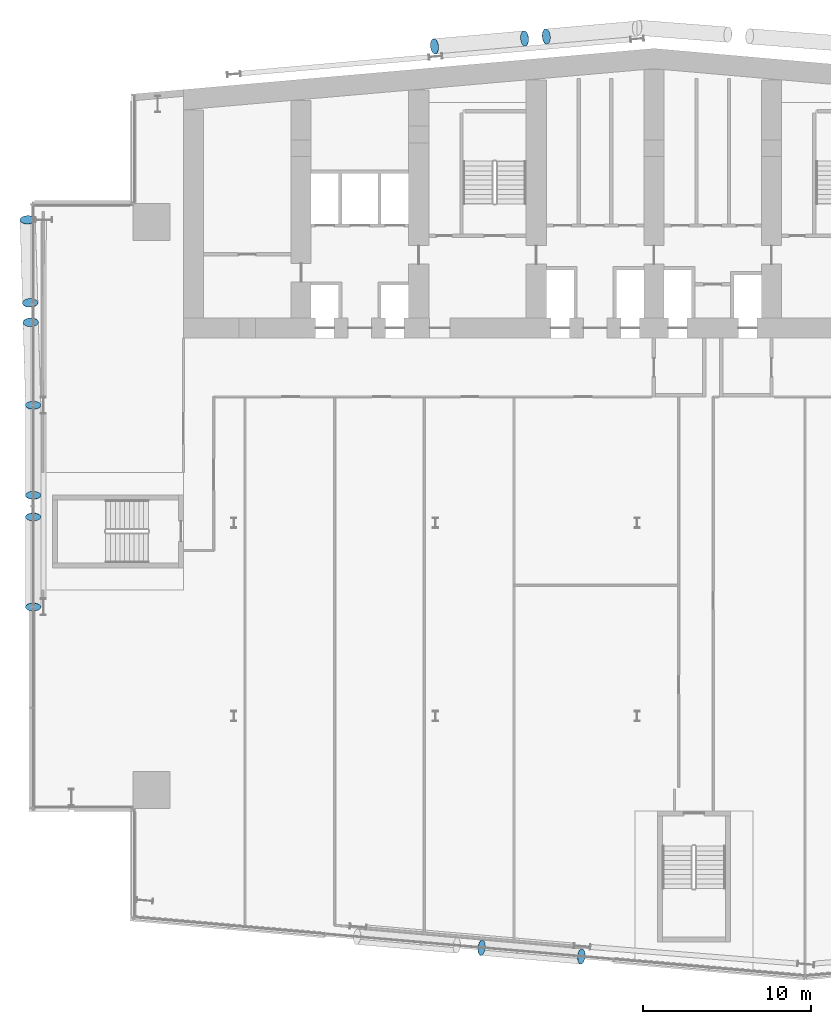
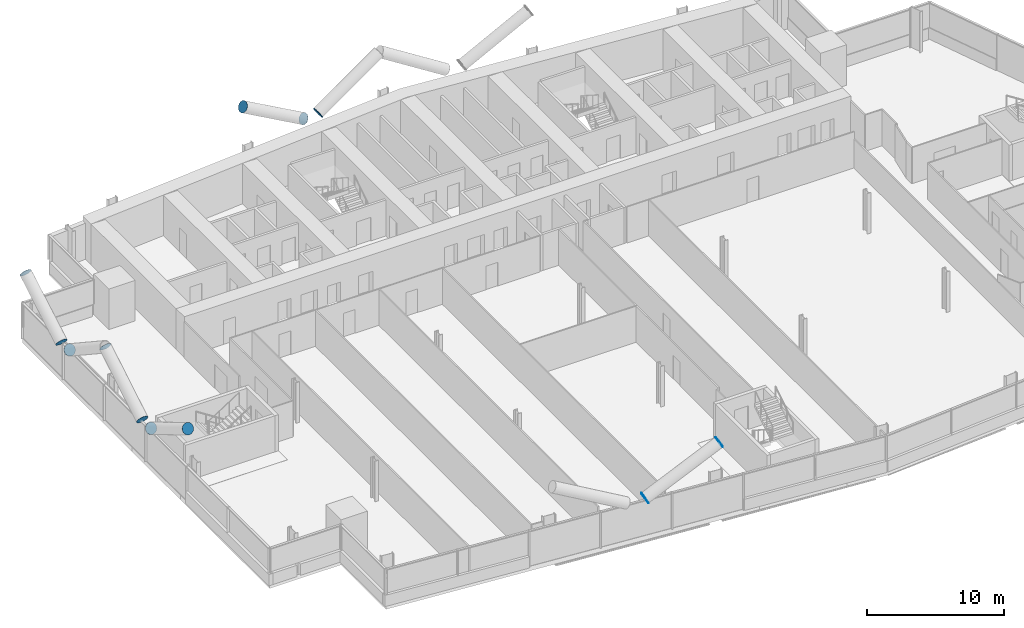
# One storey, part 19 of 25: 12 discrete accessories.
"""IFC4 building model written with IfcOpenShell, lengths in metres."""

from ifc_helpers import new_model, si_unit, direction, frame, origin, origin_2d, place, context, subcontext, project, spatial, circle, extrude, material, material_profile, profile_set, type_object, element, save


model = new_model("IFC4")

# Units and contexts
model_context = context("Model", 3, precision=1e-05, world=origin(), true_north=direction((0.0, 1.0)))
body_context = subcontext(model_context, "Body", "Model", "MODEL_VIEW")
ifc_project = project(units=[si_unit("LENGTHUNIT", "METRE"), si_unit("AREAUNIT", "SQUARE_METRE"), si_unit("VOLUMEUNIT", "CUBIC_METRE"), si_unit("PLANEANGLEUNIT", "RADIAN"), si_unit("MASSUNIT", "GRAM", prefix="KILO")], contexts=[model_context])

# Site, building, storey
site_placement = place(None, origin())
site = spatial("IfcSite", under=ifc_project, at=site_placement, CompositionType="ELEMENT")
building_placement = place(site_placement, origin())
building = spatial("IfcBuilding", under=site, at=building_placement, Name="Wharfspan Tower", CompositionType="ELEMENT")
storey_placement = place(building_placement, frame((0.0, 0.0, 63.100098)))
storey = spatial("IfcBuildingStorey", under=building, at=storey_placement, Name="L12", CompositionType="ELEMENT", Elevation=63.100098)

# Discrete accessories
ifc_material = material(Name="Steel S460NH", Category="steel")
ifc_material_profile = material_profile(ifc_material, circle(Radius=0.457031, at=origin_2d()))
ifc_profile_set = profile_set([ifc_material_profile], Name="Steel S460NH")
discrete_accessory_type = type_object("IfcDiscreteAccessoryType", Name="End plate CHS 914x40", PredefinedType="BRACKET", material=ifc_profile_set)
for number, where, z_axis, x_axis, name in (
    (1, (26.737549, -2.283936, 3.295654), (0.880146, -0.097794, 0.464521), (0.110432, 0.993888, 0.0), "End plate CHS 914x40"),
    (2, (32.671387, -2.803223, 6.5), (0.881993, -0.073499, 0.465496), (0.083046, 0.996545, -2e-06), "End plate CHS 914x40"),
):
    element("IfcDiscreteAccessory", number, at=place(storey_placement, frame(where, z_axis=z_axis, x_axis=x_axis)), inside=storey, type_object=discrete_accessory_type, Name=name, PredefinedType="BRACKET", context=body_context, shape_type="SweptSolid", body=[
        extrude(circle(Radius=0.457031, at=origin_2d()), origin(), (0.0, 0.0, 1.0), 0.01001),
    ])
discrete_accessory_1_placement = place(storey_placement, frame((0.054932, 23.358887, 3.284668), z_axis=(0.0, -0.863779, 0.503871), x_axis=(1.0, 0.0, 0.0)))
element("IfcDiscreteAccessory", 3, at=discrete_accessory_1_placement, inside=storey, type_object=discrete_accessory_type, Name="End plate CHS 914x40", PredefinedType="BRACKET", context=body_context, shape_type="SweptSolid", body=[
    extrude(circle(Radius=0.457031, at=origin_2d()), origin(), (0.0, 0.0, 1.0), 0.010254),
])
discrete_accessory_2_placement = place(storey_placement, frame((0.054932, 18.0, 6.5), z_axis=(0.0, -0.857493, 0.514496), x_axis=(1.0, 0.0, 0.0)))
element("IfcDiscreteAccessory", 4, at=discrete_accessory_2_placement, inside=storey, type_object=discrete_accessory_type, Name="End plate CHS 914x40", PredefinedType="BRACKET", context=body_context, shape_type="SweptSolid", body=[
    extrude(circle(Radius=0.457031, at=origin_2d()), origin(), (0.0, 0.0, 1.0), 0.01001),
])
discrete_accessory_3_placement = place(storey_placement, frame((0.054932, 24.641113, 3.284668), z_axis=(0.0, 0.863779, 0.503871), x_axis=(-1.0, 0.0, 0.0)))
element("IfcDiscreteAccessory", 5, at=discrete_accessory_3_placement, inside=storey, type_object=discrete_accessory_type, Name="End plate CHS 914x40", PredefinedType="BRACKET", context=body_context, shape_type="SweptSolid", body=[
    extrude(circle(Radius=0.457031, at=origin_2d()), origin(), (0.0, 0.0, 1.0), 0.010254),
])
for number, where, z_axis, x_axis, name in (
    (6, (0.054932, 30.0, 6.5), (0.0, 0.857493, 0.514496), (-1.0, 0.0, 0.0), "End plate CHS 914x40"),
    (7, (-0.092041, 34.941895, 3.275146), (0.024354, -0.828038, 0.560143), (0.999568, 0.029399, 0.0), "End plate CHS 914x40"),
    (8, (-0.126221, 36.092285, 3.275146), (-0.024354, 0.828038, 0.560143), (-0.999568, -0.029399, 0.0), "End plate CHS 914x40"),
    (9, (-0.273193, 41.03418, 6.5), (-0.024183, 0.846389, 0.532016), (-0.999594, -0.028561, 1e-06), "End plate CHS 914x40"),
    (10, (30.589111, 51.944092, 3.285156), (0.855186, 0.073302, 0.513112), (-0.085402, 0.996345, 1e-06), "End plate CHS 914x40"),
    (11, (29.30542, 51.831787, 3.285156), (-0.855186, -0.073302, 0.513112), (0.085402, -0.996345, 1e-06), "End plate CHS 914x40"),
    (12, (23.947266, 51.363037, 6.5), (-0.853405, -0.097532, 0.512043), (0.113547, -0.993531, 1e-06), "End plate CHS 914x40"),
):
    element("IfcDiscreteAccessory", number, at=place(storey_placement, frame(where, z_axis=z_axis, x_axis=x_axis)), inside=storey, type_object=discrete_accessory_type, Name=name, PredefinedType="BRACKET", context=body_context, shape_type="SweptSolid", body=[
        extrude(circle(Radius=0.457031, at=origin_2d()), origin(), (0.0, 0.0, 1.0), 0.01001),
    ])

save(model, "model.ifc")
